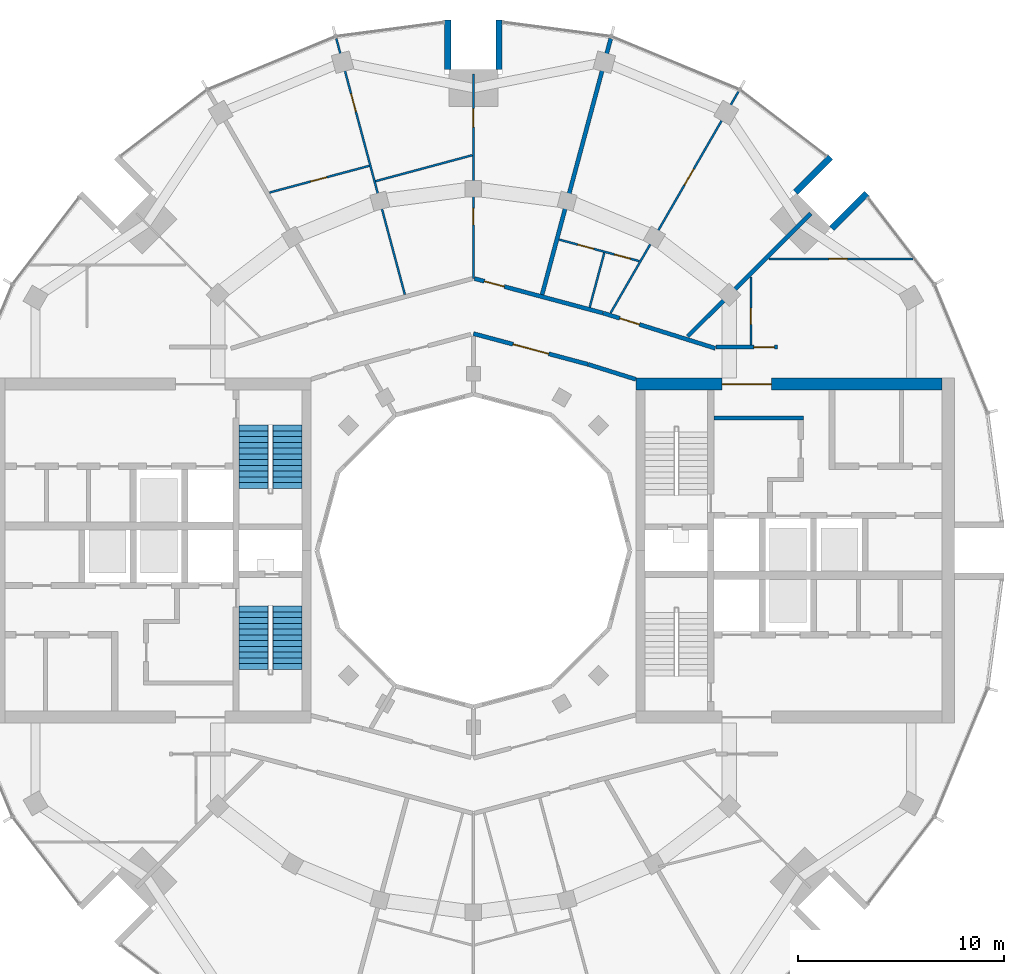
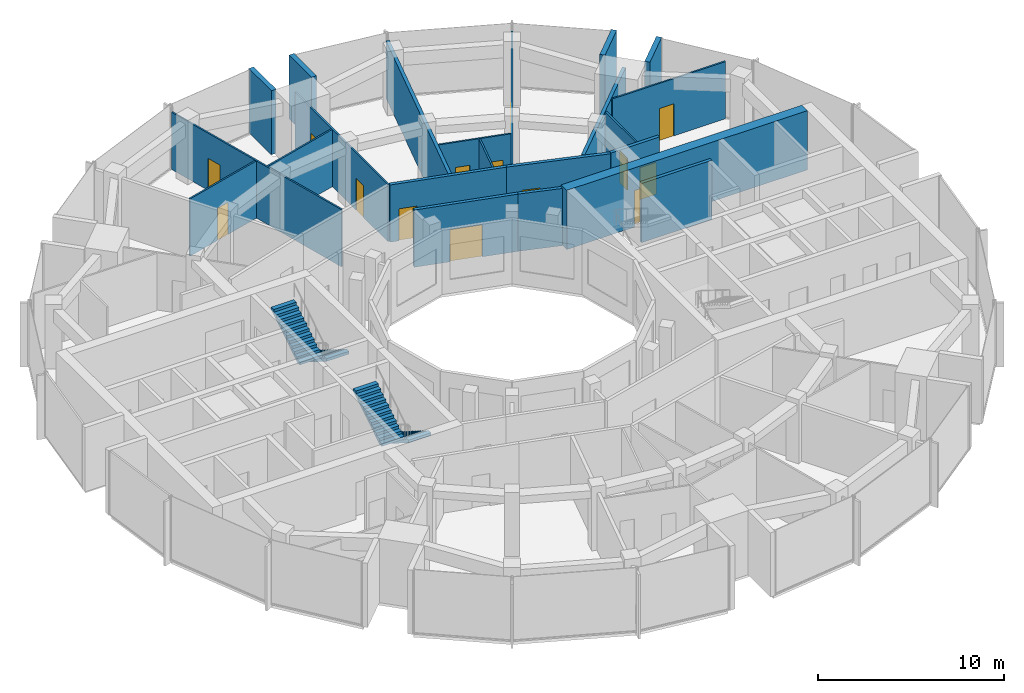
# One storey, part 12 of 15: 22 walls, 14 doors, 4 stair flights, 14 openings, 2 elements without a shape of their own.
"""IFC4 building model written with IfcOpenShell, lengths in metres."""

from ifc_helpers import new_model, si_unit, direction, frame, frame_2d, origin, place, context, subcontext, project, spatial, polyline, rectangle, outline, extrude, material, layer, layer_set, type_object, element, fill, aggregate, save


model = new_model("IFC4")

# Units and contexts
model_context = context("Model", 3, precision=1e-05, world=origin(), true_north=direction((0.0, 1.0)))
body_context = subcontext(model_context, "Body", "Model", "MODEL_VIEW")
ifc_project = project(units=[si_unit("LENGTHUNIT", "METRE"), si_unit("AREAUNIT", "SQUARE_METRE"), si_unit("VOLUMEUNIT", "CUBIC_METRE"), si_unit("PLANEANGLEUNIT", "RADIAN"), si_unit("MASSUNIT", "GRAM", prefix="KILO")], contexts=[model_context])

# Site, building, storey
site_placement = place(None, origin())
site = spatial("IfcSite", under=ifc_project, at=site_placement, CompositionType="ELEMENT")
building_placement = place(site_placement, origin())
building = spatial("IfcBuilding", under=site, at=building_placement, Name="Torre Brocal", CompositionType="ELEMENT")
storey_placement = place(building_placement, frame((0.0, 0.0, 262.5)))
storey = spatial("IfcBuildingStorey", under=building, at=storey_placement, Name="L60", CompositionType="ELEMENT", Elevation=262.5)

# Wall
ifc_material_1 = material(Name="Concrete C60", Category="concrete")
ifc_layer_1 = layer(ifc_material_1, 0.199951171875)
ifc_layer_set_1 = layer_set([ifc_layer_1], Name="Concrete C60")
wall_type_1 = type_object("IfcWallType", Name="CORE WALL 200 C60", PredefinedType="SHEAR", material=ifc_layer_set_1)
wall_1_placement = place(storey_placement, frame((91.699951171875, 81.449951171875, 0.0), z_axis=(0.0, 0.0, 1.0), x_axis=(1.0, 0.0, 0.0)))
element("IfcWall", 1, at=wall_1_placement, inside=storey, type_object=wall_type_1, Name="Wall CW200-60", PredefinedType="SHEAR", context=body_context, shape_type="SweptSolid", body=[
    extrude(rectangle(XDim=4.35009765625, YDim=0.199951171875, at=frame_2d((2.175048828125, 0.0))), origin(), (0.0, 0.0, 1.0), 3.8798828125),
])

# Wall, opening, door
ifc_material_2 = material(Name="Concrete C60", Category="concrete")
ifc_layer_2 = layer(ifc_material_2, 0.60009765625)
ifc_layer_set_2 = layer_set([ifc_layer_2], Name="Concrete C60")
wall_type_2 = type_object("IfcWallType", Name="CORE WALL 600 C60", PredefinedType="SHEAR", material=ifc_layer_set_2)
wall_2_placement = place(storey_placement, frame((87.89990234375, 83.10009765625, 0.0), z_axis=(0.0, 0.0, 1.0), x_axis=(1.0, 0.0, 0.0)))
wall_2 = element("IfcWall", 2, at=wall_2_placement, inside=storey, type_object=wall_type_2, Name="Wall CW600-60", PredefinedType="SHEAR", context=body_context, shape_type="SweptSolid", body=[
    extrude(rectangle(XDim=14.900146484375, YDim=0.60009765625, at=frame_2d((7.4501953125, 0.0))), origin(), (0.0, 0.0, 1.0), 3.8798828125),
])
opening_1_placement = place(wall_2_placement, frame((4.199951171875, 0.0, 0.0)))
opening_1 = element("IfcOpeningElement", 3, at=opening_1_placement, cuts=wall_2, Name="Opening E-D34", PredefinedType="OPENING", context=body_context, shape_type="SweptSolid", body=[
    extrude(rectangle(XDim=2.39990234375, YDim=2.39990234375, at=frame_2d((1.199951171875, 1.199951171875))), frame((0.0, 0.31005859375, 0.0), z_axis=(0.0, -1.0, 0.0), x_axis=(1.0, 0.0, 0.0)), (0.0, 0.0, 1.0), 0.6201171875),
])
ifc_material_3 = material(Name="Steel A653", Category="steel")
door_type_1 = type_object("IfcDoorType", Name="DOUBLE FIRE DOOR FD90 2400X2400", OperationType="DOUBLE_DOOR_SINGLE_SWING", PredefinedType="DOOR", material=ifc_material_3)
door_1_placement = place(opening_1_placement, frame((2.39990234375, 0.0, 0.0), z_axis=(0.0, 0.0, 1.0), x_axis=(-1.0, 0.0, 0.0)))
door_1 = element("IfcDoor", 4, at=door_1_placement, inside=storey, type_object=door_type_1, Name="Door E-D34", OperationType="DOUBLE_DOOR_SINGLE_SWING", OverallHeight=2.39990234375, OverallWidth=2.39990234375, PredefinedType="DOOR", context=body_context, shape_type="SweptSolid", body=[
    extrude(rectangle(XDim=2.39990234375, YDim=2.39990234375, at=frame_2d((1.199951171875, 1.199951171875))), frame((0.0, 0.02490234375, 0.0), z_axis=(0.0, -1.0, 0.0), x_axis=(1.0, 0.0, 0.0)), (0.0, 0.0, 1.0), 0.050048828125),
])
fill(opening_1, door_1)

# Walls
ifc_material_4 = material(Name="Concrete C60", Category="concrete")
ifc_layer_3 = layer(ifc_material_4, 0.300048828125)
ifc_layer_set_3 = layer_set([ifc_layer_3], Name="Concrete C60")
wall_type_3 = type_object("IfcWallType", Name="NOTCH RETURN WALL 300 C60", PredefinedType="NOTDEFINED", material=ifc_layer_set_3)
for number, where, z_axis, x_axis, name in (
    (5, (97.43017578125, 90.662353515625, 0.0), (0.0, 0.0, 1.0), (0.707106781187, 0.707106781187, 0.0), "NOTCH RETURN WALL"),
    (6, (95.662353515625, 92.43017578125, 0.0), (0.0, 0.0, 1.0), (0.707106781187, 0.707106781187, 0.0), "NOTCH RETURN WALL"),
    (7, (81.25, 98.39990234375, 0.0), (0.0, 0.0, 1.0), (0.0, 1.0, 0.0), "NOTCH RETURN WALL"),
    (8, (78.75, 98.39990234375, 0.0), (0.0, 0.0, 1.0), (0.0, 1.0, 0.0), "NOTCH RETURN WALL"),
):
    element("IfcWall", number, at=place(storey_placement, frame(where, z_axis=z_axis, x_axis=x_axis)), inside=storey, type_object=wall_type_3, Name=name, PredefinedType="NOTDEFINED", context=body_context, shape_type="SweptSolid", body=[
        extrude(rectangle(XDim=2.415771484375, YDim=0.300048828125, at=frame_2d((1.2080078125, 0.0))), origin(), (0.0, 0.0, 1.0), 4.199951171875),
    ])

# Wall, opening, door
ifc_material_5 = material(Name="Gypsum board", Category="Gypsum")
ifc_layer_4 = layer(ifc_material_5, 0.10009765625)
ifc_layer_set_4 = layer_set([ifc_layer_4], Name="Gypsum board")
wall_type_4 = type_object("IfcWallType", Name="PARTITION 100", PredefinedType="PARTITIONING", material=ifc_layer_set_4)
wall_3_placement = place(storey_placement, frame((70.076904296875, 92.419921875, 0.0), z_axis=(0.0, 0.0, 1.0), x_axis=(0.965977307762, 0.258626837138, 0.0)))
wall_3 = element("IfcWall", 9, at=wall_3_placement, inside=storey, type_object=wall_type_4, Name="BATHROOM WALL", PredefinedType="PARTITIONING", context=body_context, shape_type="SweptSolid", body=[
    extrude(rectangle(XDim=5.02685546875, YDim=0.10009765625, at=frame_2d((2.513427734375, 0.0))), origin(), (0.0, 0.0, 1.0), 3.75),
])
opening_2_placement = place(wall_3_placement, frame((2.078369140625, 0.0, 0.0)))
opening_2 = element("IfcOpeningElement", 10, at=opening_2_placement, cuts=wall_3, Name="Opening B05-D12", PredefinedType="OPENING", context=body_context, shape_type="SweptSolid", body=[
    extrude(rectangle(XDim=0.800048828125, YDim=2.10009765625, at=frame_2d((0.39990234375, 1.050048828125))), frame((0.0, 0.06005859375, 0.0), z_axis=(0.0, -1.0, 0.0), x_axis=(1.0, 0.0, 0.0)), (0.0, 0.0, 1.0), 0.1201171875),
])
ifc_material_6 = material(Name="Timber", Category="wood")
door_type_2 = type_object("IfcDoorType", Name="BATHROOM DOOR 800X2100", OperationType="SINGLE_SWING_LEFT", PredefinedType="DOOR", material=ifc_material_6)
door_2_placement = place(opening_2_placement, frame((0.800048828125, 0.0, 0.0), z_axis=(0.0, 0.0, 1.0), x_axis=(-1.0, 0.0, 0.0)))
door_2 = element("IfcDoor", 11, at=door_2_placement, inside=storey, type_object=door_type_2, Name="B05-D12", OperationType="SINGLE_SWING_RIGHT", OverallHeight=2.10009765625, OverallWidth=0.800048828125, PredefinedType="DOOR", context=body_context, shape_type="SweptSolid", body=[
    extrude(rectangle(XDim=0.800048828125, YDim=2.10009765625, at=frame_2d((0.39990234375, 1.050048828125))), frame((0.0, 0.02490234375, 0.0), z_axis=(0.0, -1.0, 0.0), x_axis=(1.0, 0.0, 0.0)), (0.0, 0.0, 1.0), 0.050048828125),
])
fill(opening_2, door_2)

wall_4_placement = place(storey_placement, frame((73.32470703125, 99.919677734375, 0.0), z_axis=(0.0, 0.0, 1.0), x_axis=(0.258732932804, -0.965948895896, 0.0)))
wall_4 = element("IfcWall", 12, at=wall_4_placement, inside=storey, type_object=wall_type_4, Name="BATHROOM WALL", PredefinedType="PARTITIONING", context=body_context, shape_type="SweptSolid", body=[
    extrude(rectangle(XDim=12.90380859375, YDim=0.10009765625, at=frame_2d((6.451904296875, 0.0))), origin(), (0.0, 0.0, 1.0), 3.75),
])
opening_3_placement = place(wall_4_placement, frame((2.787109375, 0.0, 0.0)))
opening_3 = element("IfcOpeningElement", 13, at=opening_3_placement, cuts=wall_4, Name="Opening B05-D11", PredefinedType="OPENING", context=body_context, shape_type="SweptSolid", body=[
    extrude(rectangle(XDim=0.89990234375, YDim=2.10009765625, at=frame_2d((0.449951171875, 1.050048828125))), frame((0.0, 0.06005859375, 0.0), z_axis=(0.0, -1.0, 0.0), x_axis=(1.0, 0.0, 0.0)), (0.0, 0.0, 1.0), 0.1201171875),
])
ifc_material_7 = material(Name="Timber", Category="wood")
door_type_3 = type_object("IfcDoorType", Name="ROOM DOOR 900X2100", OperationType="SINGLE_SWING_LEFT", PredefinedType="DOOR", material=ifc_material_7)
door_3_placement = place(opening_3_placement, frame((0.89990234375, 0.0, 0.0), z_axis=(0.0, 0.0, 1.0), x_axis=(-1.0, 0.0, 0.0)))
door_3 = element("IfcDoor", 14, at=door_3_placement, inside=storey, type_object=door_type_3, Name="B05-D11", OperationType="SINGLE_SWING_RIGHT", OverallHeight=2.10009765625, OverallWidth=0.89990234375, PredefinedType="DOOR", context=body_context, shape_type="SweptSolid", body=[
    extrude(rectangle(XDim=0.89990234375, YDim=2.10009765625, at=frame_2d((0.449951171875, 1.050048828125))), frame((0.0, 0.02490234375, 0.0), z_axis=(0.0, -1.0, 0.0), x_axis=(1.0, 0.0, 0.0)), (0.0, 0.0, 1.0), 0.050048828125),
])
fill(opening_3, door_3)

# Wall
wall_5_placement = place(storey_placement, frame((75.236328125, 92.972900390625, 0.0), z_axis=(0.0, 0.0, 1.0), x_axis=(0.965831212389, 0.259171891173, 0.0)))
element("IfcWall", 15, at=wall_5_placement, inside=storey, type_object=wall_type_4, Name="BATHROOM WALL", PredefinedType="PARTITIONING", context=body_context, shape_type="SweptSolid", body=[
    extrude(rectangle(XDim=4.8720703125, YDim=0.10009765625, at=frame_2d((2.43603515625, 0.0))), origin(), (0.0, 0.0, 1.0), 3.75),
])

# Wall, openings, doors
wall_6_placement = place(storey_placement, frame((80.0, 88.24609375, 0.0), z_axis=(0.0, 0.0, 1.0), x_axis=(0.0, 1.0, 0.0)))
wall_6 = element("IfcWall", 16, at=wall_6_placement, inside=storey, type_object=wall_type_4, Name="BATHROOM WALL", PredefinedType="PARTITIONING", context=body_context, shape_type="SweptSolid", body=[
    extrude(rectangle(XDim=9.953857421875, YDim=0.10009765625, at=frame_2d((4.97705078125, 0.0))), origin(), (0.0, 0.0, 1.0), 3.75),
])
opening_4_placement = place(wall_6_placement, frame((7.3544921875, 0.0, 0.0)))
opening_4 = element("IfcOpeningElement", 17, at=opening_4_placement, cuts=wall_6, Name="Opening B05-D09", PredefinedType="OPENING", context=body_context, shape_type="SweptSolid", body=[
    extrude(rectangle(XDim=0.89990234375, YDim=2.10009765625, at=frame_2d((0.449951171875, 1.050048828125))), frame((0.0, 0.06005859375, 0.0), z_axis=(0.0, -1.0, 0.0), x_axis=(1.0, 0.0, 0.0)), (0.0, 0.0, 1.0), 0.1201171875),
])
opening_5_placement = place(wall_6_placement, frame((2.6025390625, 0.0, 0.0)))
opening_5 = element("IfcOpeningElement", 18, at=opening_5_placement, cuts=wall_6, Name="Opening B05-D10", PredefinedType="OPENING", context=body_context, shape_type="SweptSolid", body=[
    extrude(rectangle(XDim=0.800048828125, YDim=2.10009765625, at=frame_2d((0.39990234375, 1.050048828125))), frame((0.0, 0.06005859375, 0.0), z_axis=(0.0, -1.0, 0.0), x_axis=(1.0, 0.0, 0.0)), (0.0, 0.0, 1.0), 0.1201171875),
])
door_4_placement = place(opening_5_placement, origin())
door_4 = element("IfcDoor", 19, at=door_4_placement, inside=storey, type_object=door_type_2, Name="B05-D10", OperationType="SINGLE_SWING_RIGHT", OverallHeight=2.10009765625, OverallWidth=0.800048828125, PredefinedType="DOOR", context=body_context, shape_type="SweptSolid", body=[
    extrude(rectangle(XDim=0.800048828125, YDim=2.10009765625, at=frame_2d((0.39990234375, 1.050048828125))), frame((0.0, 0.02490234375, 0.0), z_axis=(0.0, -1.0, 0.0), x_axis=(1.0, 0.0, 0.0)), (0.0, 0.0, 1.0), 0.050048828125),
])
fill(opening_5, door_4)
door_5_placement = place(opening_4_placement, origin())
door_5 = element("IfcDoor", 20, at=door_5_placement, inside=storey, type_object=door_type_3, Name="B05-D09", OperationType="SINGLE_SWING_LEFT", OverallHeight=2.10009765625, OverallWidth=0.89990234375, PredefinedType="DOOR", context=body_context, shape_type="SweptSolid", body=[
    extrude(rectangle(XDim=0.89990234375, YDim=2.10009765625, at=frame_2d((0.449951171875, 1.050048828125))), frame((0.0, 0.02490234375, 0.0), z_axis=(0.0, -1.0, 0.0), x_axis=(1.0, 0.0, 0.0)), (0.0, 0.0, 1.0), 0.050048828125),
])
fill(opening_4, door_5)

wall_7_placement = place(storey_placement, frame((84.168212890625, 90.130859375, 0.0), z_axis=(0.0, 0.0, 1.0), x_axis=(0.965828063097, -0.259183627055, 0.0)))
wall_7 = element("IfcWall", 21, at=wall_7_placement, inside=storey, type_object=wall_type_4, Name="BATHROOM WALL", PredefinedType="PARTITIONING", context=body_context, shape_type="SweptSolid", body=[
    extrude(rectangle(XDim=4.035400390625, YDim=0.10009765625, at=frame_2d((2.017578125, 0.0))), origin(), (0.0, 0.0, 1.0), 3.75),
])
opening_6_placement = place(wall_7_placement, frame((0.93994140625, 0.0, 0.0)))
opening_6 = element("IfcOpeningElement", 22, at=opening_6_placement, cuts=wall_7, Name="Opening B05-D06", PredefinedType="OPENING", context=body_context, shape_type="SweptSolid", body=[
    extrude(rectangle(XDim=0.800048828125, YDim=2.10009765625, at=frame_2d((0.39990234375, 1.050048828125))), frame((0.0, 0.06005859375, 0.0), z_axis=(0.0, -1.0, 0.0), x_axis=(1.0, 0.0, 0.0)), (0.0, 0.0, 1.0), 0.1201171875),
])
opening_7_placement = place(wall_7_placement, frame((2.79248046875, 0.0, 0.0)))
opening_7 = element("IfcOpeningElement", 23, at=opening_7_placement, cuts=wall_7, Name="Opening B05-D07", PredefinedType="OPENING", context=body_context, shape_type="SweptSolid", body=[
    extrude(rectangle(XDim=0.800048828125, YDim=2.10009765625, at=frame_2d((0.39990234375, 1.050048828125))), frame((0.0, 0.06005859375, 0.0), z_axis=(0.0, -1.0, 0.0), x_axis=(1.0, 0.0, 0.0)), (0.0, 0.0, 1.0), 0.1201171875),
])
door_6_placement = place(opening_6_placement, frame((0.800048828125, 0.0, 0.0), z_axis=(0.0, 0.0, 1.0), x_axis=(-1.0, 0.0, 0.0)))
door_6 = element("IfcDoor", 24, at=door_6_placement, inside=storey, type_object=door_type_2, Name="B05-D06", OperationType="SINGLE_SWING_LEFT", OverallHeight=2.10009765625, OverallWidth=0.800048828125, PredefinedType="DOOR", context=body_context, shape_type="SweptSolid", body=[
    extrude(rectangle(XDim=0.800048828125, YDim=2.10009765625, at=frame_2d((0.39990234375, 1.050048828125))), frame((0.0, 0.02490234375, 0.0), z_axis=(0.0, -1.0, 0.0), x_axis=(1.0, 0.0, 0.0)), (0.0, 0.0, 1.0), 0.050048828125),
])
fill(opening_6, door_6)
door_7_placement = place(opening_7_placement, frame((0.800048828125, 0.0, 0.0), z_axis=(0.0, 0.0, 1.0), x_axis=(-1.0, 0.0, 0.0)))
door_7 = element("IfcDoor", 25, at=door_7_placement, inside=storey, type_object=door_type_2, Name="B05-D07", OperationType="SINGLE_SWING_LEFT", OverallHeight=2.10009765625, OverallWidth=0.800048828125, PredefinedType="DOOR", context=body_context, shape_type="SweptSolid", body=[
    extrude(rectangle(XDim=0.800048828125, YDim=2.10009765625, at=frame_2d((0.39990234375, 1.050048828125))), frame((0.0, 0.02490234375, 0.0), z_axis=(0.0, -1.0, 0.0), x_axis=(1.0, 0.0, 0.0)), (0.0, 0.0, 1.0), 0.050048828125),
])
fill(opening_7, door_7)

# Wall
wall_8_placement = place(storey_placement, frame((85.655029296875, 86.833984375, 0.0), z_axis=(0.0, 0.0, 1.0), x_axis=(0.259005329799, 0.965875892201, 0.0)))
element("IfcWall", 26, at=wall_8_placement, inside=storey, type_object=wall_type_4, Name="BATHROOM WALL", PredefinedType="PARTITIONING", context=body_context, shape_type="SweptSolid", body=[
    extrude(rectangle(XDim=2.74951171875, YDim=0.10009765625, at=frame_2d((1.374755859375, 0.0))), origin(), (0.0, 0.0, 1.0), 3.75),
])

# Wall, opening, door
wall_9_placement = place(storey_placement, frame((86.6708984375, 86.55419921875, 0.0), z_axis=(0.0, 0.0, 1.0), x_axis=(0.500005228967, 0.866022384818, 0.0)))
wall_9 = element("IfcWall", 27, at=wall_9_placement, inside=storey, type_object=wall_type_4, Name="BATHROOM WALL", PredefinedType="PARTITIONING", context=body_context, shape_type="SweptSolid", body=[
    extrude(rectangle(XDim=12.455810546875, YDim=0.10009765625, at=frame_2d((6.22802734375, 0.0))), origin(), (0.0, 0.0, 1.0), 3.75),
])
opening_8_placement = place(wall_9_placement, frame((7.19580078125, 0.0, 0.0)))
opening_8 = element("IfcOpeningElement", 28, at=opening_8_placement, cuts=wall_9, Name="Opening B05-D05", PredefinedType="OPENING", context=body_context, shape_type="SweptSolid", body=[
    extrude(rectangle(XDim=0.89990234375, YDim=2.10009765625, at=frame_2d((0.449951171875, 1.050048828125))), frame((0.0, 0.06005859375, 0.0), z_axis=(0.0, -1.0, 0.0), x_axis=(1.0, 0.0, 0.0)), (0.0, 0.0, 1.0), 0.1201171875),
])
door_8_placement = place(opening_8_placement, frame((0.89990234375, 0.0, 0.0), z_axis=(0.0, 0.0, 1.0), x_axis=(-1.0, 0.0, 0.0)))
door_8 = element("IfcDoor", 29, at=door_8_placement, inside=storey, type_object=door_type_3, Name="B05-D05", OperationType="SINGLE_SWING_LEFT", OverallHeight=2.10009765625, OverallWidth=0.89990234375, PredefinedType="DOOR", context=body_context, shape_type="SweptSolid", body=[
    extrude(rectangle(XDim=0.89990234375, YDim=2.10009765625, at=frame_2d((0.449951171875, 1.050048828125))), frame((0.0, 0.02490234375, 0.0), z_axis=(0.0, -1.0, 0.0), x_axis=(1.0, 0.0, 0.0)), (0.0, 0.0, 1.0), 0.050048828125),
])
fill(opening_8, door_8)

wall_10_placement = place(storey_placement, frame((93.5, 85.0, 0.0), z_axis=(0.0, 0.0, 1.0), x_axis=(0.0, 1.0, 0.0)))
wall_10 = element("IfcWall", 30, at=wall_10_placement, inside=storey, type_object=wall_type_4, Name="BATHROOM WALL", PredefinedType="PARTITIONING", context=body_context, shape_type="SweptSolid", body=[
    extrude(rectangle(XDim=3.30908203125, YDim=0.10009765625, at=frame_2d((1.654541015625, 0.0))), origin(), (0.0, 0.0, 1.0), 3.75),
])
opening_9_placement = place(wall_10_placement, frame((1.0, 0.0, 0.0)))
opening_9 = element("IfcOpeningElement", 31, at=opening_9_placement, cuts=wall_10, Name="Opening B05-D03", PredefinedType="OPENING", context=body_context, shape_type="SweptSolid", body=[
    extrude(rectangle(XDim=0.800048828125, YDim=2.10009765625, at=frame_2d((0.39990234375, 1.050048828125))), frame((0.0, 0.06005859375, 0.0), z_axis=(0.0, -1.0, 0.0), x_axis=(1.0, 0.0, 0.0)), (0.0, 0.0, 1.0), 0.1201171875),
])
door_9_placement = place(opening_9_placement, origin())
door_9 = element("IfcDoor", 32, at=door_9_placement, inside=storey, type_object=door_type_2, Name="B05-D03", OperationType="SINGLE_SWING_LEFT", OverallHeight=2.10009765625, OverallWidth=0.800048828125, PredefinedType="DOOR", context=body_context, shape_type="SweptSolid", body=[
    extrude(rectangle(XDim=0.800048828125, YDim=2.10009765625, at=frame_2d((0.39990234375, 1.050048828125))), frame((0.0, 0.02490234375, 0.0), z_axis=(0.0, -1.0, 0.0), x_axis=(1.0, 0.0, 0.0)), (0.0, 0.0, 1.0), 0.050048828125),
])
fill(opening_9, door_9)

wall_11_placement = place(storey_placement, frame((94.37890625, 89.18798828125, 0.0), z_axis=(0.0, 0.0, 1.0), x_axis=(1.0, 0.0, 0.0)))
wall_11 = element("IfcWall", 33, at=wall_11_placement, inside=storey, type_object=wall_type_4, Name="ROOM PARTITION", PredefinedType="PARTITIONING", context=body_context, shape_type="SweptSolid", body=[
    extrude(rectangle(XDim=7.02099609375, YDim=0.10009765625, at=frame_2d((3.510498046875, 0.0))), origin(), (0.0, 0.0, 1.0), 3.75),
])
opening_10_placement = place(wall_11_placement, frame((2.91650390625, 0.0, 0.0)))
opening_10 = element("IfcOpeningElement", 34, at=opening_10_placement, cuts=wall_11, Name="Opening B05-D01", PredefinedType="OPENING", context=body_context, shape_type="SweptSolid", body=[
    extrude(rectangle(XDim=0.89990234375, YDim=2.10009765625, at=frame_2d((0.449951171875, 1.050048828125))), frame((0.0, 0.06005859375, 0.0), z_axis=(0.0, -1.0, 0.0), x_axis=(1.0, 0.0, 0.0)), (0.0, 0.0, 1.0), 0.1201171875),
])
door_10_placement = place(opening_10_placement, origin())
door_10 = element("IfcDoor", 35, at=door_10_placement, inside=storey, type_object=door_type_3, Name="B05-D01", OperationType="SINGLE_SWING_LEFT", OverallHeight=2.10009765625, OverallWidth=0.89990234375, PredefinedType="DOOR", context=body_context, shape_type="SweptSolid", body=[
    extrude(rectangle(XDim=0.89990234375, YDim=2.10009765625, at=frame_2d((0.449951171875, 1.050048828125))), frame((0.0, 0.02490234375, 0.0), z_axis=(0.0, -1.0, 0.0), x_axis=(1.0, 0.0, 0.0)), (0.0, 0.0, 1.0), 0.050048828125),
])
fill(opening_10, door_10)

ifc_material_8 = material(Name="Gypsum board", Category="Gypsum")
ifc_layer_5 = layer(ifc_material_8, 0.199951171875)
ifc_layer_set_5 = layer_set([ifc_layer_5], Name="Gypsum board")
wall_type_5 = type_object("IfcWallType", Name="PARTITION 200 EI60", PredefinedType="PARTITIONING", material=ifc_layer_set_5)
wall_12_placement = place(storey_placement, frame((80.04833984375, 88.2333984375, 0.0), z_axis=(0.0, 0.0, 1.0), x_axis=(0.965867917069, -0.259035068625, 0.0)))
wall_12 = element("IfcWall", 36, at=wall_12_placement, inside=storey, type_object=wall_type_5, Name="FLAT ENTRANCE WALL", PredefinedType="PARTITIONING", context=body_context, shape_type="SweptSolid", body=[
    extrude(rectangle(XDim=6.475830078125, YDim=0.199951171875, at=frame_2d((3.23779296875, 0.0))), origin(), (0.0, 0.0, 1.0), 3.75),
])
opening_11_placement = place(wall_12_placement, frame((0.5, 0.0, 0.0)))
opening_11 = element("IfcOpeningElement", 37, at=opening_11_placement, cuts=wall_12, Name="Opening B05-D08", PredefinedType="OPENING", context=body_context, shape_type="SweptSolid", body=[
    extrude(rectangle(XDim=1.0, YDim=2.10009765625, at=frame_2d((0.5, 1.050048828125))), frame((0.0, 0.10986328125, 0.0), z_axis=(0.0, -1.0, 0.0), x_axis=(1.0, 0.0, 0.0)), (0.0, 0.0, 1.0), 0.219970703125),
])
ifc_material_9 = material(Name="Timber", Category="wood")
door_type_4 = type_object("IfcDoorType", Name="FLAT ENTRY DOOR FD30S 1000X2100", OperationType="SINGLE_SWING_RIGHT", PredefinedType="DOOR", material=ifc_material_9)
door_11_placement = place(opening_11_placement, origin())
door_11 = element("IfcDoor", 38, at=door_11_placement, inside=storey, type_object=door_type_4, Name="B05-D08", OperationType="SINGLE_SWING_LEFT", OverallHeight=2.10009765625, OverallWidth=1.0, PredefinedType="DOOR", context=body_context, shape_type="SweptSolid", body=[
    extrude(rectangle(XDim=1.0, YDim=2.10009765625, at=frame_2d((0.5, 1.050048828125))), frame((0.0, 0.02490234375, 0.0), z_axis=(0.0, -1.0, 0.0), x_axis=(1.0, 0.0, 0.0)), (0.0, 0.0, 1.0), 0.050048828125),
])
fill(opening_11, door_11)

wall_13_placement = place(storey_placement, frame((80.0009765625, 85.553955078125, 0.0), z_axis=(0.0, 0.0, 1.0), x_axis=(0.965917658836, -0.258849524528, 0.0)))
wall_13 = element("IfcWall", 39, at=wall_13_placement, inside=storey, type_object=wall_type_5, Name="CORRIDOR WALL", PredefinedType="PARTITIONING", context=body_context, shape_type="SweptSolid", body=[
    extrude(rectangle(XDim=5.773193359375, YDim=0.199951171875, at=frame_2d((2.88671875, 0.0))), origin(), (0.0, 0.0, 1.0), 3.75),
])
opening_12_placement = place(wall_13_placement, frame((1.9912109375, 0.0, 0.0)))
opening_12 = element("IfcOpeningElement", 40, at=opening_12_placement, cuts=wall_13, Name="Opening B05-D17", PredefinedType="OPENING", context=body_context, shape_type="SweptSolid", body=[
    extrude(rectangle(XDim=1.800048828125, YDim=2.10009765625, at=frame_2d((0.89990234375, 1.050048828125))), frame((0.0, 0.10986328125, 0.0), z_axis=(0.0, -1.0, 0.0), x_axis=(1.0, 0.0, 0.0)), (0.0, 0.0, 1.0), 0.219970703125),
])
ifc_material_10 = material(Name="Timber", Category="wood")
door_type_5 = type_object("IfcDoorType", Name="DOUBLE DOOR 1800X2100", OperationType="DOUBLE_DOOR_SINGLE_SWING", PredefinedType="DOOR", material=ifc_material_10)
door_12_placement = place(opening_12_placement, frame((1.800048828125, 0.0, 0.0), z_axis=(0.0, 0.0, 1.0), x_axis=(-1.0, 0.0, 0.0)))
door_12 = element("IfcDoor", 41, at=door_12_placement, inside=storey, type_object=door_type_5, Name="B05-D17", OperationType="DOUBLE_DOOR_SINGLE_SWING", OverallHeight=2.10009765625, OverallWidth=1.800048828125, PredefinedType="DOOR", context=body_context, shape_type="SweptSolid", body=[
    extrude(rectangle(XDim=1.800048828125, YDim=2.10009765625, at=frame_2d((0.89990234375, 1.050048828125))), frame((0.0, 0.02490234375, 0.0), z_axis=(0.0, -1.0, 0.0), x_axis=(1.0, 0.0, 0.0)), (0.0, 0.0, 1.0), 0.050048828125),
])
fill(opening_12, door_12)

# Walls
wall_14_placement = place(storey_placement, frame((83.340576171875, 87.4541015625, 0.0), z_axis=(0.0, 0.0, 1.0), x_axis=(0.258971872038, 0.965884863477, 0.0)))
element("IfcWall", 42, at=wall_14_placement, inside=storey, type_object=wall_type_5, Name="BATHROOM WALL", PredefinedType="PARTITIONING", context=body_context, shape_type="SweptSolid", body=[
    extrude(rectangle(XDim=12.904052734375, YDim=0.199951171875, at=frame_2d((6.4521484375, 0.0))), origin(), (0.0, 0.0, 1.0), 3.75),
])
wall_15_placement = place(storey_placement, frame((85.5869140625, 84.056884765625, 0.0), z_axis=(0.0, 0.0, 1.0), x_axis=(0.954210767728, -0.299135104513, 0.0)))
element("IfcWall", 43, at=wall_15_placement, inside=storey, type_object=wall_type_5, Name="CORRIDOR WALL", PredefinedType="PARTITIONING", context=body_context, shape_type="SweptSolid", body=[
    extrude(rectangle(XDim=2.424072265625, YDim=0.199951171875, at=frame_2d((1.2119140625, 0.0))), origin(), (0.0, 0.0, 1.0), 3.75),
])

# Wall, opening, door
wall_16_placement = place(storey_placement, frame((86.31298828125, 86.554443359375, 0.0), z_axis=(0.0, 0.0, 1.0), x_axis=(0.954081217458, -0.299548043717, 0.0)))
wall_16 = element("IfcWall", 44, at=wall_16_placement, inside=storey, type_object=wall_type_5, Name="FLAT ENTRANCE WALL", PredefinedType="PARTITIONING", context=body_context, shape_type="SweptSolid", body=[
    extrude(rectangle(XDim=5.720703125, YDim=0.199951171875, at=frame_2d((2.8603515625, 0.0))), origin(), (0.0, 0.0, 1.0), 3.75),
])
opening_13_placement = place(wall_16_placement, frame((0.84765625, 0.0, 0.0)))
opening_13 = element("IfcOpeningElement", 45, at=opening_13_placement, cuts=wall_16, Name="Opening B05-D04", PredefinedType="OPENING", context=body_context, shape_type="SweptSolid", body=[
    extrude(rectangle(XDim=1.0, YDim=2.10009765625, at=frame_2d((0.5, 1.050048828125))), frame((0.0, 0.10986328125, 0.0), z_axis=(0.0, -1.0, 0.0), x_axis=(1.0, 0.0, 0.0)), (0.0, 0.0, 1.0), 0.219970703125),
])
door_13_placement = place(opening_13_placement, origin())
door_13 = element("IfcDoor", 46, at=door_13_placement, inside=storey, type_object=door_type_4, Name="B05-D04", OperationType="SINGLE_SWING_LEFT", OverallHeight=2.10009765625, OverallWidth=1.0, PredefinedType="DOOR", context=body_context, shape_type="SweptSolid", body=[
    extrude(rectangle(XDim=1.0, YDim=2.10009765625, at=frame_2d((0.5, 1.050048828125))), frame((0.0, 0.02490234375, 0.0), z_axis=(0.0, -1.0, 0.0), x_axis=(1.0, 0.0, 0.0)), (0.0, 0.0, 1.0), 0.050048828125),
])
fill(opening_13, door_13)

# Wall
wall_17_placement = place(storey_placement, frame((90.418212890625, 85.4140625, 0.0), z_axis=(0.0, 0.0, 1.0), x_axis=(0.707265310761, 0.706948216063, 0.0)))
element("IfcWall", 47, at=wall_17_placement, inside=storey, type_object=wall_type_5, Name="BATHROOM WALL", PredefinedType="PARTITIONING", context=body_context, shape_type="SweptSolid", body=[
    extrude(rectangle(XDim=8.46923828125, YDim=0.199951171875, at=frame_2d((4.234619140625, 0.0))), origin(), (0.0, 0.0, 1.0), 3.75),
])

# Wall, opening, door
wall_18_placement = place(storey_placement, frame((91.800048828125, 84.89990234375, 0.0), z_axis=(0.0, 0.0, 1.0), x_axis=(1.0, 0.0, 0.0)))
wall_18 = element("IfcWall", 48, at=wall_18_placement, inside=storey, type_object=wall_type_5, Name="FLAT ENTRANCE WALL", PredefinedType="PARTITIONING", context=body_context, shape_type="SweptSolid", body=[
    extrude(rectangle(XDim=3.0, YDim=0.199951171875, at=frame_2d((1.5, 0.0))), origin(), (0.0, 0.0, 1.0), 3.75),
])
opening_14_placement = place(wall_18_placement, frame((1.840087890625, 0.0, 0.0)))
opening_14 = element("IfcOpeningElement", 49, at=opening_14_placement, cuts=wall_18, Name="Opening B05-D02", PredefinedType="OPENING", context=body_context, shape_type="SweptSolid", body=[
    extrude(rectangle(XDim=1.0, YDim=2.10009765625, at=frame_2d((0.5, 1.050048828125))), frame((0.0, 0.10986328125, 0.0), z_axis=(0.0, -1.0, 0.0), x_axis=(1.0, 0.0, 0.0)), (0.0, 0.0, 1.0), 0.219970703125),
])
door_14_placement = place(opening_14_placement, origin())
door_14 = element("IfcDoor", 50, at=door_14_placement, inside=storey, type_object=door_type_4, Name="B05-D02", OperationType="SINGLE_SWING_LEFT", OverallHeight=2.10009765625, OverallWidth=1.0, PredefinedType="DOOR", context=body_context, shape_type="SweptSolid", body=[
    extrude(rectangle(XDim=1.0, YDim=2.10009765625, at=frame_2d((0.5, 1.050048828125))), frame((0.0, 0.02490234375, 0.0), z_axis=(0.0, -1.0, 0.0), x_axis=(1.0, 0.0, 0.0)), (0.0, 0.0, 1.0), 0.050048828125),
])
fill(opening_14, door_14)

# Stair, stair flights
ifc_material_11 = material(Name="Concrete C50", Category="concrete")
stair_type = type_object("IfcStairType", Name="EXIT STAIR", PredefinedType="HALF_TURN_STAIR", material=ifc_material_11)
stair_1_placement = place(storey_placement, origin())
stair_1 = element("IfcStair", 51, at=stair_1_placement, inside=storey, type_object=stair_type, Name="EXIT STAIR ST3", PredefinedType="HALF_TURN_STAIR")
ifc_material_12 = material(Name="Concrete C50", Category="concrete")
ifc_layer_6 = layer(ifc_material_12, 0.14990234375)
ifc_layer_set_6 = layer_set([ifc_layer_6], Name="Concrete C50")
stair_flight_type = type_object("IfcStairFlightType", Name="STAIR FLIGHT", PredefinedType="STRAIGHT", material=ifc_layer_set_6)
stair_flight_1_placement = place(storey_placement, frame((70.949951171875, 72.300048828125, 0.0), z_axis=(0.0, 0.0, 1.0), x_axis=(0.0, -1.0, 0.0)))
stair_flight_1 = element("IfcStairFlight", 52, at=stair_flight_1_placement, type_object=stair_flight_type, Name="ST3 flight 1", NumberOfRisers=12, NumberOfTreads=11, PredefinedType="STRAIGHT", RiserHeight=0.175, TreadLength=0.28, context=body_context, shape_type="SweptSolid", body=[
    extrude(outline(polyline([(0.0, 0.0), (0.0, 0.175048828125), (0.280029296875, 0.175048828125), (0.280029296875, 0.35009765625), (0.56005859375, 0.35009765625), (0.56005859375, 0.52490234375), (0.840087890625, 0.52490234375), (0.840087890625, 0.699951171875), (1.1201171875, 0.699951171875), (1.1201171875, 0.875), (1.39990234375, 0.875), (1.39990234375, 1.050048828125), (1.679931640625, 1.050048828125), (1.679931640625, 1.22509765625), (1.9599609375, 1.22509765625), (1.9599609375, 1.39990234375), (2.239990234375, 1.39990234375), (2.239990234375, 1.574951171875), (2.52001953125, 1.574951171875), (2.52001953125, 1.75), (2.800048828125, 1.75), (2.800048828125, 1.925048828125), (3.080078125, 1.925048828125), (3.080078125, 2.10009765625), (3.080078125, 1.748291015625), (0.28271484375, 0.0), (0.0, 0.0)])), frame((0.0, 0.699951171875, 0.0), z_axis=(0.0, -1.0, 0.0), x_axis=(1.0, 0.0, 0.0)), (0.0, 0.0, 1.0), 1.39990234375),
])
stair_flight_2_placement = place(storey_placement, frame((69.300048828125, 69.219970703125, 2.10009765625), z_axis=(0.0, 0.0, 1.0), x_axis=(0.0, 1.0, 0.0)))
stair_flight_2 = element("IfcStairFlight", 53, at=stair_flight_2_placement, type_object=stair_flight_type, Name="ST3 flight 2", NumberOfRisers=12, NumberOfTreads=11, PredefinedType="STRAIGHT", RiserHeight=0.175, TreadLength=0.28, context=body_context, shape_type="SweptSolid", body=[
    extrude(outline(polyline([(0.0, 0.0), (0.0, 0.175048828125), (0.280029296875, 0.175048828125), (0.280029296875, 0.35009765625), (0.56005859375, 0.35009765625), (0.56005859375, 0.52490234375), (0.840087890625, 0.52490234375), (0.840087890625, 0.699951171875), (1.1201171875, 0.699951171875), (1.1201171875, 0.875), (1.39990234375, 0.875), (1.39990234375, 1.050048828125), (1.679931640625, 1.050048828125), (1.679931640625, 1.22509765625), (1.9599609375, 1.22509765625), (1.9599609375, 1.39990234375), (2.239990234375, 1.39990234375), (2.239990234375, 1.574951171875), (2.52001953125, 1.574951171875), (2.52001953125, 1.75), (2.800048828125, 1.75), (2.800048828125, 1.925048828125), (3.080078125, 1.925048828125), (3.080078125, 2.10009765625), (3.080078125, 1.748291015625), (0.28271484375, 0.0), (0.0, 0.0)])), frame((0.0, 0.699951171875, 0.0), z_axis=(0.0, -1.0, 0.0), x_axis=(1.0, 0.0, 0.0)), (0.0, 0.0, 1.0), 1.39990234375),
])
aggregate(stair_1, [stair_flight_1, stair_flight_2])

stair_2_placement = place(storey_placement, origin())
stair_2 = element("IfcStair", 54, at=stair_2_placement, inside=storey, type_object=stair_type, Name="EXIT STAIR ST4", PredefinedType="HALF_TURN_STAIR")
stair_flight_3_placement = place(storey_placement, frame((70.949951171875, 81.10009765625, 0.0), z_axis=(0.0, 0.0, 1.0), x_axis=(0.0, -1.0, 0.0)))
stair_flight_3 = element("IfcStairFlight", 55, at=stair_flight_3_placement, type_object=stair_flight_type, Name="ST4 flight 1", NumberOfRisers=12, NumberOfTreads=11, PredefinedType="STRAIGHT", RiserHeight=0.175, TreadLength=0.28, context=body_context, shape_type="SweptSolid", body=[
    extrude(outline(polyline([(0.0, 0.0), (0.0, 0.175048828125), (0.280029296875, 0.175048828125), (0.280029296875, 0.35009765625), (0.56005859375, 0.35009765625), (0.56005859375, 0.52490234375), (0.840087890625, 0.52490234375), (0.840087890625, 0.699951171875), (1.1201171875, 0.699951171875), (1.1201171875, 0.875), (1.39990234375, 0.875), (1.39990234375, 1.050048828125), (1.679931640625, 1.050048828125), (1.679931640625, 1.22509765625), (1.9599609375, 1.22509765625), (1.9599609375, 1.39990234375), (2.239990234375, 1.39990234375), (2.239990234375, 1.574951171875), (2.52001953125, 1.574951171875), (2.52001953125, 1.75), (2.800048828125, 1.75), (2.800048828125, 1.925048828125), (3.080078125, 1.925048828125), (3.080078125, 2.10009765625), (3.080078125, 1.748291015625), (0.28271484375, 0.0), (0.0, 0.0)])), frame((0.0, 0.699951171875, 0.0), z_axis=(0.0, -1.0, 0.0), x_axis=(1.0, 0.0, 0.0)), (0.0, 0.0, 1.0), 1.39990234375),
])
stair_flight_4_placement = place(storey_placement, frame((69.300048828125, 78.02001953125, 2.10009765625), z_axis=(0.0, 0.0, 1.0), x_axis=(0.0, 1.0, 0.0)))
stair_flight_4 = element("IfcStairFlight", 56, at=stair_flight_4_placement, type_object=stair_flight_type, Name="ST4 flight 2", NumberOfRisers=12, NumberOfTreads=11, PredefinedType="STRAIGHT", RiserHeight=0.175, TreadLength=0.28, context=body_context, shape_type="SweptSolid", body=[
    extrude(outline(polyline([(0.0, 0.0), (0.0, 0.175048828125), (0.280029296875, 0.175048828125), (0.280029296875, 0.35009765625), (0.56005859375, 0.35009765625), (0.56005859375, 0.52490234375), (0.840087890625, 0.52490234375), (0.840087890625, 0.699951171875), (1.1201171875, 0.699951171875), (1.1201171875, 0.875), (1.39990234375, 0.875), (1.39990234375, 1.050048828125), (1.679931640625, 1.050048828125), (1.679931640625, 1.22509765625), (1.9599609375, 1.22509765625), (1.9599609375, 1.39990234375), (2.239990234375, 1.39990234375), (2.239990234375, 1.574951171875), (2.52001953125, 1.574951171875), (2.52001953125, 1.75), (2.800048828125, 1.75), (2.800048828125, 1.925048828125), (3.080078125, 1.925048828125), (3.080078125, 2.10009765625), (3.080078125, 1.748291015625), (0.28271484375, 0.0), (0.0, 0.0)])), frame((0.0, 0.699951171875, 0.0), z_axis=(0.0, -1.0, 0.0), x_axis=(1.0, 0.0, 0.0)), (0.0, 0.0, 1.0), 1.39990234375),
])
aggregate(stair_2, [stair_flight_3, stair_flight_4])

save(model, "model.ifc")
